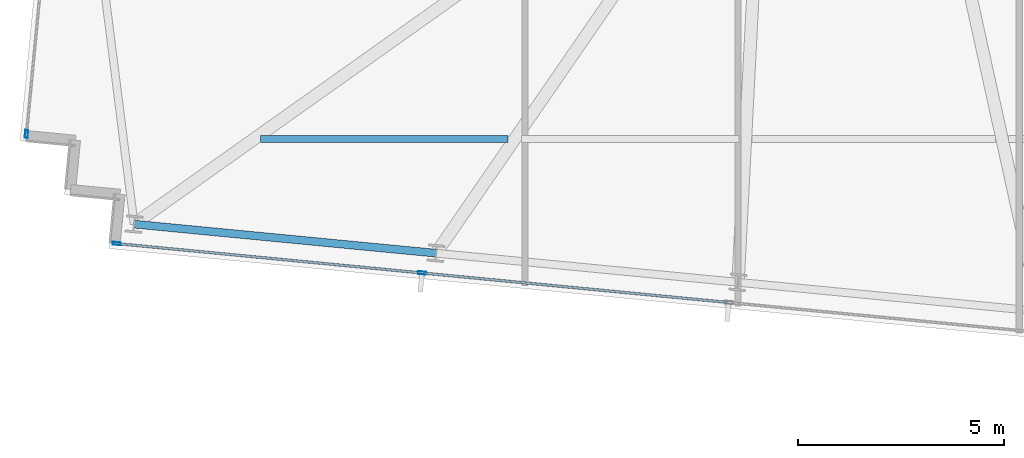
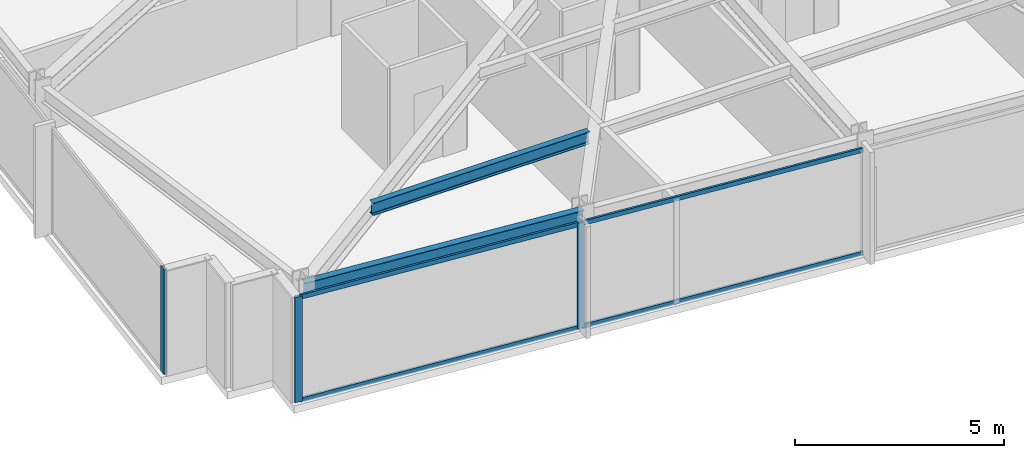
# One storey, part 2 of 38: 7 members, 2 beams, 2 elements without a shape of their own.
"""IFC4 building model written with IfcOpenShell, lengths in metres."""

import ifcopenshell
import ifcopenshell.guid

model = None  # the IFC model being written
_history = None  # IfcOwnerHistory: only IFC2X3 demands one
_inside = {}  # id of a spatial element -> (the spatial element, [elements in it])
_under = {}  # id of a project, library or spatial element -> (it, [spatial elements below it])
_declared = {}  # id of a project -> (the project, [libraries it declares])
_typed = {}  # id of a type object -> (the type object, [elements of that type])
_made_of = {}  # id of a material, layer set ... -> (it, [elements and type objects made of it])


def new_model(schema):
    """Start an empty IFC model of exactly this schema.

    Asked for "IFC4X3", IfcOpenShell would pick the latest addendum, in which some entities
    have other attributes; the version numbers below select the first issue.
    IFC2X3 requires an IfcOwnerHistory on every rooted entity: one is made here for all.
    """
    global model, _history
    if schema == "IFC4X3":
        model = ifcopenshell.file(schema_version=(4, 3, 0, 0))
    else:
        model = ifcopenshell.file(schema=schema)
    _inside.clear()
    _under.clear()
    _declared.clear()
    _typed.clear()
    _made_of.clear()
    _history = None
    if model.schema == "IFC2X3":
        org = make("IfcOrganization", Name="unknown")
        user = make(
            "IfcPersonAndOrganization",
            ThePerson=make("IfcPerson", FamilyName="unknown"),
            TheOrganization=org,
        )
        app = make(
            "IfcApplication",
            ApplicationDeveloper=org,
            Version="unknown",
            ApplicationFullName="unknown",
            ApplicationIdentifier="unknown",
        )
        _history = make(
            "IfcOwnerHistory",
            OwningUser=user,
            OwningApplication=app,
            ChangeAction="ADDED",
            CreationDate=0,
        )
    return model


def make(cls, **values):
    """One entity of the class cls with the attributes given. An attribute that is None is left unset."""
    return model.create_entity(
        cls, **{name: value for name, value in values.items() if value is not None}
    )


def rooted(cls, **values):
    """An entity with a GlobalId (a new one), such as an element, a storey or a relation."""
    return make(cls, GlobalId=ifcopenshell.guid.new(), OwnerHistory=_history, **values)


def si_unit(unit_type, name, prefix=None):
    """IfcSIUnit, for example si_unit("LENGTHUNIT", "METRE", prefix="MILLI")."""
    return make("IfcSIUnit", UnitType=unit_type, Prefix=prefix, Name=name)


def assignment(units):
    """IfcUnitAssignment: the units of a project."""
    return None if units is None else make("IfcUnitAssignment", Units=units)


def point(xyz):
    """IfcCartesianPoint."""
    return None if xyz is None else make("IfcCartesianPoint", Coordinates=xyz)


def direction(xyz):
    """IfcDirection."""
    return None if xyz is None else make("IfcDirection", DirectionRatios=xyz)


def frame(location, z_axis=None, x_axis=None):
    """IfcAxis2Placement3D, a coordinate frame: its origin and axes. An axis left out is left unset."""
    return make(
        "IfcAxis2Placement3D",
        Location=point(location),
        Axis=direction(z_axis),
        RefDirection=direction(x_axis),
    )


def frame_2d(location, x_axis=None):
    """IfcAxis2Placement2D, a coordinate frame in the plane: its origin and x axis."""
    return make(
        "IfcAxis2Placement2D", Location=point(location), RefDirection=direction(x_axis)
    )


def origin():
    """The frame at (0, 0, 0) with its axes left unset."""
    return frame((0.0, 0.0, 0.0))


def origin_2d():
    """The frame at (0, 0) in the plane with its x axis left unset."""
    return frame_2d((0.0, 0.0))


def place(relative_to, where):
    """IfcLocalPlacement: puts the frame where relative to a parent placement (None: the world)."""
    return make(
        "IfcLocalPlacement", PlacementRelTo=relative_to, RelativePlacement=where
    )


def context(
    kind, dimensions, precision=None, world=None, true_north=None, identifier=None
):
    """IfcGeometricRepresentationContext, for example the 3D "Model" context."""
    return make(
        "IfcGeometricRepresentationContext",
        ContextIdentifier=identifier,
        ContextType=kind,
        CoordinateSpaceDimension=dimensions,
        Precision=precision,
        WorldCoordinateSystem=world,
        TrueNorth=true_north,
    )


def subcontext(parent, identifier, kind, view, scale=None):
    """IfcGeometricRepresentationSubContext, for example "Body" below "Model"."""
    return make(
        "IfcGeometricRepresentationSubContext",
        ContextIdentifier=identifier,
        ContextType=kind,
        ParentContext=parent,
        TargetScale=scale,
        TargetView=view,
    )


def project(units=None, contexts=None):
    """IfcProject with its units and contexts."""
    return rooted(
        "IfcProject",
        Name="project",
        RepresentationContexts=contexts,
        UnitsInContext=assignment(units),
    )


def spatial(cls, under=None, at=None, **own):
    """A site, building, storey or space (cls), placed at a placement, below another one or the project."""
    s = rooted(cls, ObjectPlacement=at, **own)
    if under is not None:
        _under.setdefault(under.id(), (under, []))[1].append(s)
    return s


def profile(cls, at=None, kind="AREA", **sizes):
    """A parametric profile (cls). Its sizes go by their IFC names, for example OverallWidth=200.0."""
    return make(cls, ProfileType=kind, Position=at, **sizes)


def hollow_rectangle(**sizes):
    """IfcRectangleHollowProfileDef."""
    return profile("IfcRectangleHollowProfileDef", **sizes)


def i_section(**sizes):
    """IfcIShapeProfileDef."""
    return profile("IfcIShapeProfileDef", **sizes)


def extrude(swept, where, along, depth):
    """IfcExtrudedAreaSolid: the profile swept, set in the frame where, extruded along a direction by depth."""
    return make(
        "IfcExtrudedAreaSolid",
        SweptArea=swept,
        Position=where,
        ExtrudedDirection=direction(along),
        Depth=depth,
    )


def shape(context_of_items, identifier, shape_type, items):
    """IfcShapeRepresentation: the items that make up one representation, for example the "Body"."""
    return make(
        "IfcShapeRepresentation",
        ContextOfItems=context_of_items,
        RepresentationIdentifier=identifier,
        RepresentationType=shape_type,
        Items=items,
    )


def material(Name=None, Category=None):
    """IfcMaterial."""
    return make("IfcMaterial", Name=Name, Category=Category)


def material_profile(
    of_material, cross_section, Name=None, Category=None, Priority=None
):
    """IfcMaterialProfile: a cross section and its material."""
    return make(
        "IfcMaterialProfile",
        Name=Name,
        Material=of_material,
        Profile=cross_section,
        Priority=Priority,
        Category=Category,
    )


def profile_set(profiles, Name=None, composite=None):
    """IfcMaterialProfileSet."""
    return make(
        "IfcMaterialProfileSet",
        Name=Name,
        MaterialProfiles=profiles,
        CompositeProfile=composite,
    )


def made_of(thing, what):
    """Note that an element or type object is made of a material, layer set ...; save() writes the relation."""
    if what is not None:
        _made_of.setdefault(what.id(), (what, []))[1].append(thing)
    return thing


def type_object(cls, material=None, **own):
    """A type object (cls), such as IfcWallType, which elements share."""
    return made_of(rooted(cls, **own), material)


def element(
    cls,
    number,
    at=None,
    inside=None,
    cuts=None,
    type_object=None,
    material=None,
    context=None,
    identifier="Body",
    shape_type=None,
    held_by="IfcProductDefinitionShape",
    body=None,
    shapes=None,
    **own,
):
    """One element of the class cls, such as IfcWall. Its Tag is "e" and its number.

    at: its placement. inside: the storey or other place that contains it. cuts: it is an
    opening in that element (IfcRelVoidsElement). A single representation is given by context,
    identifier, shape_type and body (its items); several are given by shapes. held_by: the class
    of the entity that holds the representations. save() writes the other relations.
    """
    e = rooted(cls, Tag="e%d" % number, ObjectPlacement=at, **own)
    if body is not None:
        shapes = [shape(context, identifier, shape_type, body)]
    if shapes is not None:
        e.Representation = make(held_by, Representations=shapes)
    if inside is not None:
        _inside.setdefault(inside.id(), (inside, []))[1].append(e)
    if cuts is not None:
        rooted(
            "IfcRelVoidsElement", RelatingBuildingElement=cuts, RelatedOpeningElement=e
        )
    if type_object is not None:
        _typed.setdefault(type_object.id(), (type_object, []))[1].append(e)
    return made_of(e, material)


def aggregate(whole, parts):
    """IfcRelAggregates: a whole, such as a stair, and the parts it consists of."""
    return rooted("IfcRelAggregates", RelatingObject=whole, RelatedObjects=parts)


def save(model, path):
    """Write the relations noted so far, then the file.

    IfcRelAggregates (storeys below a building ...), IfcRelContainedInSpatialStructure (elements
    in a storey), IfcRelDefinesByType, IfcRelAssociatesMaterial and IfcRelDeclares: one each for
    every whole, place, type object, material and project.
    """
    for whole, parts in _under.values():
        aggregate(whole, parts)
    for where, things in _inside.values():
        rooted(
            "IfcRelContainedInSpatialStructure",
            RelatedElements=things,
            RelatingStructure=where,
        )
    for kind, things in _typed.values():
        rooted("IfcRelDefinesByType", RelatedObjects=things, RelatingType=kind)
    for what, things in _made_of.values():
        rooted("IfcRelAssociatesMaterial", RelatedObjects=things, RelatingMaterial=what)
    for by, libraries in _declared.values():
        rooted("IfcRelDeclares", RelatingContext=by, RelatedDefinitions=libraries)
    model.write(path)


model = new_model("IFC4")

# Units and contexts
model_context = context("Model", 3, precision=1e-05, world=origin(), true_north=direction((0.0, 1.0)))
body_context = subcontext(model_context, "Body", "Model", "MODEL_VIEW")
ifc_project = project(units=[si_unit("LENGTHUNIT", "METRE"), si_unit("AREAUNIT", "SQUARE_METRE"), si_unit("VOLUMEUNIT", "CUBIC_METRE"), si_unit("PLANEANGLEUNIT", "RADIAN"), si_unit("MASSUNIT", "GRAM", prefix="KILO")], contexts=[model_context])

# Site, building, storey
site_placement = place(None, origin())
site = spatial("IfcSite", under=ifc_project, at=site_placement, CompositionType="ELEMENT")
building_placement = place(site_placement, origin())
building = spatial("IfcBuilding", under=site, at=building_placement, Name="Yelkora Congress Tower", CompositionType="ELEMENT")
storey_placement = place(building_placement, frame((0.0, 0.0, 172.10009765625)))
storey = spatial("IfcBuildingStorey", under=building, at=storey_placement, Name="L47", CompositionType="ELEMENT", Elevation=172.10009765625)

# Beams
ifc_material_1 = material(Name="Steel S355J2", Category="steel")
ifc_material_profile_1 = material_profile(ifc_material_1, i_section(OverallWidth=0.169921875, OverallDepth=0.360107421875, WebThickness=0.008056640625, FlangeThickness=0.0126953125, FilletRadius=0.01806640625, at=origin_2d()), Name="IPE 360")
ifc_profile_set_1 = profile_set([ifc_material_profile_1], Name="Steel S355J2")
beam_type_1 = type_object("IfcBeamType", Name="BM-JOIST-IPE360", PredefinedType="JOIST", material=ifc_profile_set_1)
beam_1_placement = place(storey_placement, frame((6.98779296875, 16.421142578125, 2.89990234375), z_axis=(1.0, 0.0, 0.0), x_axis=(0.0, 1.0, 0.0)))
element("IfcBeam", 1, at=beam_1_placement, inside=storey, type_object=beam_type_1, Name="L47 Composite Floor Joist 5", PredefinedType="JOIST", context=body_context, shape_type="SweptSolid", body=[
    extrude(i_section(OverallWidth=0.169921875, OverallDepth=0.360107421875, WebThickness=0.008056640625, FlangeThickness=0.0126953125, FilletRadius=0.01806640625, at=origin_2d()), origin(), (0.0, 0.0, 1.0), 6.002685546875),
])
ifc_material_profile_2 = material_profile(ifc_material_1, i_section(OverallWidth=0.18994140625, OverallDepth=0.449951171875, WebThickness=0.009521484375, FlangeThickness=0.0146484375, FilletRadius=0.02099609375, at=origin_2d()), Name="IPE 450")
ifc_profile_set_2 = profile_set([ifc_material_profile_2], Name="Steel S355J2")
beam_type_2 = type_object("IfcBeamType", Name="BM-SPAN-IPE450", PredefinedType="SPANDREL", material=ifc_profile_set_2)
beam_2_placement = place(storey_placement, frame((3.919189453125, 14.357421875, 2.85498046875), z_axis=(0.995393938538, -0.095869218844, 0.0), x_axis=(0.095869218844, 0.995393938538, 0.0)))
element("IfcBeam", 2, at=beam_2_placement, inside=storey, type_object=beam_type_2, Name="L47 Perimeter Beam 2", PredefinedType="SPANDREL", context=body_context, shape_type="SweptSolid", body=[
    extrude(i_section(OverallWidth=0.18994140625, OverallDepth=0.449951171875, WebThickness=0.009521484375, FlangeThickness=0.0146484375, FilletRadius=0.02099609375, at=origin_2d()), origin(), (0.0, 0.0, 1.0), 7.357177734375),
])

# Curtain wall, member
ifc_material_2 = material(Name="Anodised aluminium and insulated glass", Category="aluminium")
curtain_wall_type = type_object("IfcCurtainWallType", Name="CW-SYS-B3", PredefinedType="NOTDEFINED", material=ifc_material_2)
curtain_wall_1_placement = place(storey_placement, origin())
curtain_wall_1 = element("IfcCurtainWall", 3, at=curtain_wall_1_placement, inside=storey, type_object=curtain_wall_type, Name="L47 Unitised Curtain Wall 5", PredefinedType="NOTDEFINED")
ifc_material_3 = material(Name="Anodised aluminium 6063-T6", Category="aluminium")
ifc_material_profile_3 = material_profile(ifc_material_3, hollow_rectangle(XDim=0.070068359375, YDim=0.18994140625, WallThickness=0.00390625, at=origin_2d()), Name="ALU 70x190x4")
ifc_profile_set_3 = profile_set([ifc_material_profile_3], Name="Anodised aluminium 6063-T6")
member_type_1 = type_object("IfcMemberType", Name="MEM-ML-B3", PredefinedType="MULLION", material=ifc_profile_set_3)
member_1_placement = place(storey_placement, frame((1.306640625, 16.542724609375, 0.0), z_axis=(0.0, 0.0, 1.0), x_axis=(-0.995396242473, 0.095845294465, 0.0)))
member_1 = element("IfcMember", 4, at=member_1_placement, type_object=member_type_1, Name="CW-B3 mullion 1", PredefinedType="MULLION", context=body_context, shape_type="SweptSolid", body=[
    extrude(hollow_rectangle(XDim=0.070068359375, YDim=0.18994140625, WallThickness=0.00390625, at=origin_2d()), origin(), (0.0, 0.0, 1.0), 3.079833984375),
])
aggregate(curtain_wall_1, [member_1])

# Curtain wall, members
curtain_wall_2_placement = place(storey_placement, origin())
curtain_wall_2 = element("IfcCurtainWall", 5, at=curtain_wall_2_placement, inside=storey, type_object=curtain_wall_type, Name="L47 Unitised Curtain Wall 20", PredefinedType="NOTDEFINED")
member_2_placement = place(storey_placement, frame((10.902099609375, 13.172607421875, 0.0), z_axis=(0.0, 0.0, 1.0), x_axis=(-0.095844680679, -0.995396301573, 0.0)))
member_2 = element("IfcMember", 6, at=member_2_placement, type_object=member_type_1, Name="CW-B3 mullion 7", PredefinedType="MULLION", context=body_context, shape_type="SweptSolid", body=[
    extrude(hollow_rectangle(XDim=0.070068359375, YDim=0.18994140625, WallThickness=0.00390625, at=origin_2d()), origin(), (0.0, 0.0, 1.0), 3.079833984375),
])
member_3_placement = place(storey_placement, frame((3.4970703125, 13.885498046875, 0.0), z_axis=(0.0, 0.0, 1.0), x_axis=(-0.095844680679, -0.995396301573, 0.0)))
member_3 = element("IfcMember", 7, at=member_3_placement, type_object=member_type_1, Name="CW-B3 mullion 8", PredefinedType="MULLION", context=body_context, shape_type="SweptSolid", body=[
    extrude(hollow_rectangle(XDim=0.070068359375, YDim=0.18994140625, WallThickness=0.00390625, at=origin_2d()), origin(), (0.0, 0.0, 1.0), 3.079833984375),
])
ifc_material_profile_4 = material_profile(ifc_material_3, hollow_rectangle(XDim=0.06005859375, YDim=0.1298828125, WallThickness=0.00390625, at=origin_2d()), Name="ALU 60x130x4")
ifc_profile_set_4 = profile_set([ifc_material_profile_4], Name="Anodised aluminium 6063-T6")
member_type_2 = type_object("IfcMemberType", Name="MEM-TR-B3", PredefinedType="USERDEFINED", material=ifc_profile_set_4)
member_4_placement = place(storey_placement, frame((18.30712890625, 12.45947265625, 0.02978515625), z_axis=(-0.99539548672, 0.095853142967, 0.0), x_axis=(-0.095853142967, -0.99539548672, 0.0)))
member_4 = element("IfcMember", 8, at=member_4_placement, type_object=member_type_2, Name="CW-B3 transom 6.1", ObjectType="TRANSOM", PredefinedType="USERDEFINED", context=body_context, shape_type="SweptSolid", body=[
    extrude(hollow_rectangle(XDim=0.06005859375, YDim=0.1298828125, WallThickness=0.00390625, at=origin_2d()), origin(), (0.0, 0.0, 1.0), 7.404296875),
])
member_5_placement = place(storey_placement, frame((18.30712890625, 12.45947265625, 3.0498046875), z_axis=(-0.99539548672, 0.095853142967, 0.0), x_axis=(-0.095853142967, -0.99539548672, 0.0)))
member_5 = element("IfcMember", 9, at=member_5_placement, type_object=member_type_2, Name="CW-B3 transom 6.2", ObjectType="TRANSOM", PredefinedType="USERDEFINED", context=body_context, shape_type="SweptSolid", body=[
    extrude(hollow_rectangle(XDim=0.06005859375, YDim=0.1298828125, WallThickness=0.00390625, at=origin_2d()), origin(), (0.0, 0.0, 1.0), 7.404296875),
])
member_6_placement = place(storey_placement, frame((10.8671875, 13.17578125, 0.02978515625), z_axis=(-0.995396212442, 0.095845606344, 0.0), x_axis=(-0.095845606344, -0.995396212442, 0.0)))
member_6 = element("IfcMember", 10, at=member_6_placement, type_object=member_type_2, Name="CW-B3 transom 7.1", ObjectType="TRANSOM", PredefinedType="USERDEFINED", context=body_context, shape_type="SweptSolid", body=[
    extrude(hollow_rectangle(XDim=0.06005859375, YDim=0.1298828125, WallThickness=0.00390625, at=origin_2d()), origin(), (0.0, 0.0, 1.0), 7.369140625),
])
member_7_placement = place(storey_placement, frame((10.8671875, 13.17578125, 3.0498046875), z_axis=(-0.995396212442, 0.095845606344, 0.0), x_axis=(-0.095845606344, -0.995396212442, 0.0)))
member_7 = element("IfcMember", 11, at=member_7_placement, type_object=member_type_2, Name="CW-B3 transom 7.2", ObjectType="TRANSOM", PredefinedType="USERDEFINED", context=body_context, shape_type="SweptSolid", body=[
    extrude(hollow_rectangle(XDim=0.06005859375, YDim=0.1298828125, WallThickness=0.00390625, at=origin_2d()), origin(), (0.0, 0.0, 1.0), 7.369140625),
])
aggregate(curtain_wall_2, [member_2, member_3, member_4, member_5, member_6, member_7])

save(model, "model.ifc")
